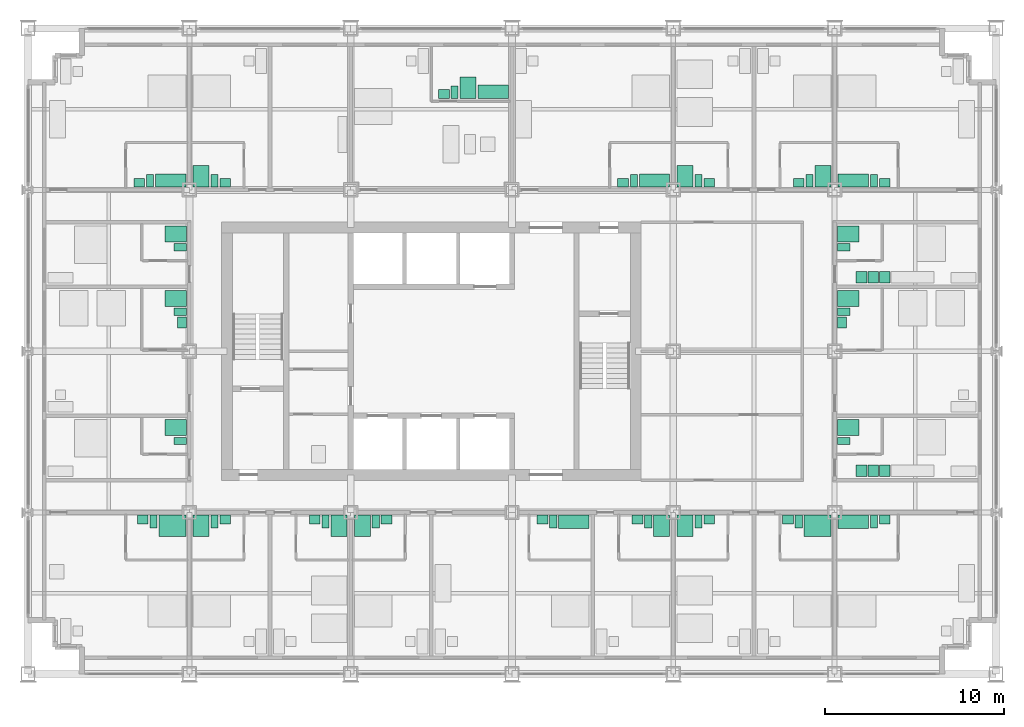
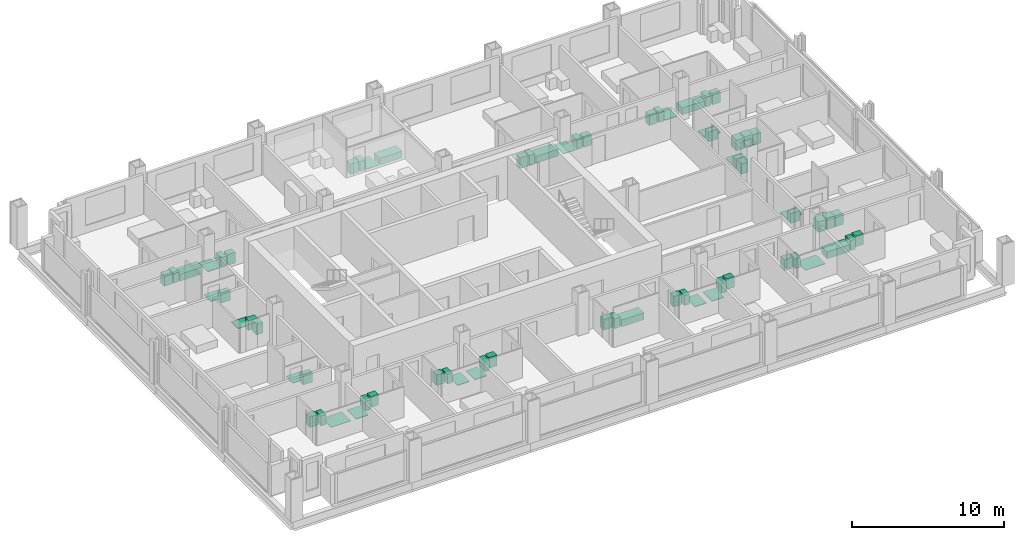
# One storey, part 17 of 18: 63 sanitary terminals, 6 electric appliances.
"""IFC4 building model written with IfcOpenShell, lengths in metres."""

from ifc_helpers import new_model, si_unit, direction, frame, origin, origin_2d, place, context, subcontext, project, spatial, rectangle, extrude, element, save


model = new_model("IFC4")

# Units and contexts
model_context = context("Model", 3, precision=1e-05, world=origin(), true_north=direction((0.0, 1.0)))
body_context = subcontext(model_context, "Body", "Model", "MODEL_VIEW")
ifc_project = project(units=[si_unit("LENGTHUNIT", "METRE"), si_unit("AREAUNIT", "SQUARE_METRE"), si_unit("VOLUMEUNIT", "CUBIC_METRE"), si_unit("PLANEANGLEUNIT", "RADIAN"), si_unit("MASSUNIT", "GRAM", prefix="KILO")], contexts=[model_context])

# Site, building, storey
site_placement = place(None, origin())
site = spatial("IfcSite", under=ifc_project, at=site_placement, CompositionType="ELEMENT")
building_placement = place(site_placement, origin())
building = spatial("IfcBuilding", under=site, at=building_placement, Name="Loomwork Tower", CompositionType="ELEMENT")
storey_placement = place(building_placement, frame((0.0, 0.0, 82.39990234375)))
storey = spatial("IfcBuildingStorey", under=building, at=storey_placement, Name="L21", CompositionType="ELEMENT", Elevation=82.39990234375)

# Sanitary terminals
sanitary_terminal_1_placement = place(storey_placement, frame((8.050048828125, 8.25, 0.0), z_axis=(0.0, 0.0, 1.0), x_axis=(1.0, 0.0, 0.0)))
element("IfcSanitaryTerminal", 1, at=sanitary_terminal_1_placement, inside=storey, Name="Roll-in shower floor L21", PredefinedType="SHOWER", context=body_context, shape_type="SweptSolid", body=[
    extrude(rectangle(XDim=1.5, YDim=1.199951171875, at=origin_2d()), origin(), (0.0, 0.0, 1.0), 0.030029296875),
])
sanitary_terminal_2_placement = place(storey_placement, frame((7.0, 8.5, 0.0), z_axis=(0.0, 0.0, 1.0), x_axis=(1.0, 0.0, 0.0)))
element("IfcSanitaryTerminal", 2, at=sanitary_terminal_2_placement, inside=storey, Name="WC L21", PredefinedType="TOILETPAN", context=body_context, shape_type="SweptSolid", body=[
    extrude(rectangle(XDim=0.39990234375, YDim=0.699951171875, at=origin_2d()), origin(), (0.0, 0.0, 1.0), 0.800048828125),
])
sanitary_terminal_3_placement = place(storey_placement, frame((6.39990234375, 8.60009765625, 0.0), z_axis=(0.0, 0.0, 1.0), x_axis=(1.0, 0.0, 0.0)))
element("IfcSanitaryTerminal", 3, at=sanitary_terminal_3_placement, inside=storey, Name="Basin vanity L21", PredefinedType="WASHHANDBASIN", context=body_context, shape_type="SweptSolid", body=[
    extrude(rectangle(XDim=0.60009765625, YDim=0.5, at=origin_2d()), origin(), (0.0, 0.0, 1.0), 0.85009765625),
])
sanitary_terminal_4_placement = place(storey_placement, frame((9.64990234375, 8.25, 0.0), z_axis=(0.0, 0.0, 1.0), x_axis=(1.0, 0.0, 0.0)))
element("IfcSanitaryTerminal", 4, at=sanitary_terminal_4_placement, inside=storey, Name="Shower tray L21", PredefinedType="SHOWER", context=body_context, shape_type="SweptSolid", body=[
    extrude(rectangle(XDim=0.89990234375, YDim=1.199951171875, at=origin_2d()), origin(), (0.0, 0.0, 1.0), 0.050048828125),
])
sanitary_terminal_5_placement = place(storey_placement, frame((10.39990234375, 8.5, 0.0), z_axis=(0.0, 0.0, 1.0), x_axis=(1.0, 0.0, 0.0)))
element("IfcSanitaryTerminal", 5, at=sanitary_terminal_5_placement, inside=storey, Name="WC L21", PredefinedType="TOILETPAN", context=body_context, shape_type="SweptSolid", body=[
    extrude(rectangle(XDim=0.39990234375, YDim=0.699951171875, at=origin_2d()), origin(), (0.0, 0.0, 1.0), 0.800048828125),
])
sanitary_terminal_6_placement = place(storey_placement, frame((11.0, 8.60009765625, 0.0), z_axis=(0.0, 0.0, 1.0), x_axis=(1.0, 0.0, 0.0)))
element("IfcSanitaryTerminal", 6, at=sanitary_terminal_6_placement, inside=storey, Name="Basin vanity L21", PredefinedType="WASHHANDBASIN", context=body_context, shape_type="SweptSolid", body=[
    extrude(rectangle(XDim=0.60009765625, YDim=0.5, at=origin_2d()), origin(), (0.0, 0.0, 1.0), 0.85009765625),
])
sanitary_terminal_7_placement = place(storey_placement, frame((17.35009765625, 8.25, 0.0), z_axis=(0.0, 0.0, 1.0), x_axis=(1.0, 0.0, 0.0)))
element("IfcSanitaryTerminal", 7, at=sanitary_terminal_7_placement, inside=storey, Name="Shower tray L21", PredefinedType="SHOWER", context=body_context, shape_type="SweptSolid", body=[
    extrude(rectangle(XDim=0.89990234375, YDim=1.199951171875, at=origin_2d()), origin(), (0.0, 0.0, 1.0), 0.050048828125),
])
sanitary_terminal_8_placement = place(storey_placement, frame((16.60009765625, 8.5, 0.0), z_axis=(0.0, 0.0, 1.0), x_axis=(1.0, 0.0, 0.0)))
element("IfcSanitaryTerminal", 8, at=sanitary_terminal_8_placement, inside=storey, Name="WC L21", PredefinedType="TOILETPAN", context=body_context, shape_type="SweptSolid", body=[
    extrude(rectangle(XDim=0.39990234375, YDim=0.699951171875, at=origin_2d()), origin(), (0.0, 0.0, 1.0), 0.800048828125),
])
sanitary_terminal_9_placement = place(storey_placement, frame((16.0, 8.60009765625, 0.0), z_axis=(0.0, 0.0, 1.0), x_axis=(1.0, 0.0, 0.0)))
element("IfcSanitaryTerminal", 9, at=sanitary_terminal_9_placement, inside=storey, Name="Basin vanity L21", PredefinedType="WASHHANDBASIN", context=body_context, shape_type="SweptSolid", body=[
    extrude(rectangle(XDim=0.60009765625, YDim=0.5, at=origin_2d()), origin(), (0.0, 0.0, 1.0), 0.85009765625),
])
sanitary_terminal_10_placement = place(storey_placement, frame((18.64990234375, 8.25, 0.0), z_axis=(0.0, 0.0, 1.0), x_axis=(1.0, 0.0, 0.0)))
element("IfcSanitaryTerminal", 10, at=sanitary_terminal_10_placement, inside=storey, Name="Shower tray L21", PredefinedType="SHOWER", context=body_context, shape_type="SweptSolid", body=[
    extrude(rectangle(XDim=0.89990234375, YDim=1.199951171875, at=origin_2d()), origin(), (0.0, 0.0, 1.0), 0.050048828125),
])
sanitary_terminal_11_placement = place(storey_placement, frame((19.39990234375, 8.5, 0.0), z_axis=(0.0, 0.0, 1.0), x_axis=(1.0, 0.0, 0.0)))
element("IfcSanitaryTerminal", 11, at=sanitary_terminal_11_placement, inside=storey, Name="WC L21", PredefinedType="TOILETPAN", context=body_context, shape_type="SweptSolid", body=[
    extrude(rectangle(XDim=0.39990234375, YDim=0.699951171875, at=origin_2d()), origin(), (0.0, 0.0, 1.0), 0.800048828125),
])
sanitary_terminal_12_placement = place(storey_placement, frame((20.0, 8.60009765625, 0.0), z_axis=(0.0, 0.0, 1.0), x_axis=(1.0, 0.0, 0.0)))
element("IfcSanitaryTerminal", 12, at=sanitary_terminal_12_placement, inside=storey, Name="Basin vanity L21", PredefinedType="WASHHANDBASIN", context=body_context, shape_type="SweptSolid", body=[
    extrude(rectangle(XDim=0.60009765625, YDim=0.5, at=origin_2d()), origin(), (0.0, 0.0, 1.0), 0.85009765625),
])
sanitary_terminal_13_placement = place(storey_placement, frame((30.449951171875, 8.47509765625, 0.0), z_axis=(0.0, 0.0, 1.0), x_axis=(1.0, 0.0, 0.0)))
element("IfcSanitaryTerminal", 13, at=sanitary_terminal_13_placement, inside=storey, Name="Bath L21", PredefinedType="BATH", context=body_context, shape_type="SweptSolid", body=[
    extrude(rectangle(XDim=1.699951171875, YDim=0.75, at=origin_2d()), origin(), (0.0, 0.0, 1.0), 0.550048828125),
])
sanitary_terminal_14_placement = place(storey_placement, frame((29.300048828125, 8.5, 0.0), z_axis=(0.0, 0.0, 1.0), x_axis=(1.0, 0.0, 0.0)))
element("IfcSanitaryTerminal", 14, at=sanitary_terminal_14_placement, inside=storey, Name="WC L21", PredefinedType="TOILETPAN", context=body_context, shape_type="SweptSolid", body=[
    extrude(rectangle(XDim=0.39990234375, YDim=0.699951171875, at=origin_2d()), origin(), (0.0, 0.0, 1.0), 0.800048828125),
])
sanitary_terminal_15_placement = place(storey_placement, frame((28.699951171875, 8.60009765625, 0.0), z_axis=(0.0, 0.0, 1.0), x_axis=(1.0, 0.0, 0.0)))
element("IfcSanitaryTerminal", 15, at=sanitary_terminal_15_placement, inside=storey, Name="Basin vanity L21", PredefinedType="WASHHANDBASIN", context=body_context, shape_type="SweptSolid", body=[
    extrude(rectangle(XDim=0.60009765625, YDim=0.5, at=origin_2d()), origin(), (0.0, 0.0, 1.0), 0.85009765625),
])
sanitary_terminal_16_placement = place(storey_placement, frame((35.35009765625, 8.25, 0.0), z_axis=(0.0, 0.0, 1.0), x_axis=(1.0, 0.0, 0.0)))
element("IfcSanitaryTerminal", 16, at=sanitary_terminal_16_placement, inside=storey, Name="Shower tray L21", PredefinedType="SHOWER", context=body_context, shape_type="SweptSolid", body=[
    extrude(rectangle(XDim=0.89990234375, YDim=1.199951171875, at=origin_2d()), origin(), (0.0, 0.0, 1.0), 0.050048828125),
])
sanitary_terminal_17_placement = place(storey_placement, frame((34.60009765625, 8.5, 0.0), z_axis=(0.0, 0.0, 1.0), x_axis=(1.0, 0.0, 0.0)))
element("IfcSanitaryTerminal", 17, at=sanitary_terminal_17_placement, inside=storey, Name="WC L21", PredefinedType="TOILETPAN", context=body_context, shape_type="SweptSolid", body=[
    extrude(rectangle(XDim=0.39990234375, YDim=0.699951171875, at=origin_2d()), origin(), (0.0, 0.0, 1.0), 0.800048828125),
])
sanitary_terminal_18_placement = place(storey_placement, frame((34.0, 8.60009765625, 0.0), z_axis=(0.0, 0.0, 1.0), x_axis=(1.0, 0.0, 0.0)))
element("IfcSanitaryTerminal", 18, at=sanitary_terminal_18_placement, inside=storey, Name="Basin vanity L21", PredefinedType="WASHHANDBASIN", context=body_context, shape_type="SweptSolid", body=[
    extrude(rectangle(XDim=0.60009765625, YDim=0.5, at=origin_2d()), origin(), (0.0, 0.0, 1.0), 0.85009765625),
])
sanitary_terminal_19_placement = place(storey_placement, frame((36.64990234375, 8.25, 0.0), z_axis=(0.0, 0.0, 1.0), x_axis=(1.0, 0.0, 0.0)))
element("IfcSanitaryTerminal", 19, at=sanitary_terminal_19_placement, inside=storey, Name="Shower tray L21", PredefinedType="SHOWER", context=body_context, shape_type="SweptSolid", body=[
    extrude(rectangle(XDim=0.89990234375, YDim=1.199951171875, at=origin_2d()), origin(), (0.0, 0.0, 1.0), 0.050048828125),
])
sanitary_terminal_20_placement = place(storey_placement, frame((37.39990234375, 8.5, 0.0), z_axis=(0.0, 0.0, 1.0), x_axis=(1.0, 0.0, 0.0)))
element("IfcSanitaryTerminal", 20, at=sanitary_terminal_20_placement, inside=storey, Name="WC L21", PredefinedType="TOILETPAN", context=body_context, shape_type="SweptSolid", body=[
    extrude(rectangle(XDim=0.39990234375, YDim=0.699951171875, at=origin_2d()), origin(), (0.0, 0.0, 1.0), 0.800048828125),
])
sanitary_terminal_21_placement = place(storey_placement, frame((38.0, 8.60009765625, 0.0), z_axis=(0.0, 0.0, 1.0), x_axis=(1.0, 0.0, 0.0)))
element("IfcSanitaryTerminal", 21, at=sanitary_terminal_21_placement, inside=storey, Name="Basin vanity L21", PredefinedType="WASHHANDBASIN", context=body_context, shape_type="SweptSolid", body=[
    extrude(rectangle(XDim=0.60009765625, YDim=0.5, at=origin_2d()), origin(), (0.0, 0.0, 1.0), 0.85009765625),
])
sanitary_terminal_22_placement = place(storey_placement, frame((44.050048828125, 8.25, 0.0), z_axis=(0.0, 0.0, 1.0), x_axis=(1.0, 0.0, 0.0)))
element("IfcSanitaryTerminal", 22, at=sanitary_terminal_22_placement, inside=storey, Name="Roll-in shower floor L21", PredefinedType="SHOWER", context=body_context, shape_type="SweptSolid", body=[
    extrude(rectangle(XDim=1.5, YDim=1.199951171875, at=origin_2d()), origin(), (0.0, 0.0, 1.0), 0.030029296875),
])
sanitary_terminal_23_placement = place(storey_placement, frame((43.0, 8.5, 0.0), z_axis=(0.0, 0.0, 1.0), x_axis=(1.0, 0.0, 0.0)))
element("IfcSanitaryTerminal", 23, at=sanitary_terminal_23_placement, inside=storey, Name="WC L21", PredefinedType="TOILETPAN", context=body_context, shape_type="SweptSolid", body=[
    extrude(rectangle(XDim=0.39990234375, YDim=0.699951171875, at=origin_2d()), origin(), (0.0, 0.0, 1.0), 0.800048828125),
])
sanitary_terminal_24_placement = place(storey_placement, frame((42.39990234375, 8.60009765625, 0.0), z_axis=(0.0, 0.0, 1.0), x_axis=(1.0, 0.0, 0.0)))
element("IfcSanitaryTerminal", 24, at=sanitary_terminal_24_placement, inside=storey, Name="Basin vanity L21", PredefinedType="WASHHANDBASIN", context=body_context, shape_type="SweptSolid", body=[
    extrude(rectangle(XDim=0.60009765625, YDim=0.5, at=origin_2d()), origin(), (0.0, 0.0, 1.0), 0.85009765625),
])
sanitary_terminal_25_placement = place(storey_placement, frame((46.050048828125, 8.47509765625, 0.0), z_axis=(0.0, 0.0, 1.0), x_axis=(1.0, 0.0, 0.0)))
element("IfcSanitaryTerminal", 25, at=sanitary_terminal_25_placement, inside=storey, Name="Bath L21", PredefinedType="BATH", context=body_context, shape_type="SweptSolid", body=[
    extrude(rectangle(XDim=1.699951171875, YDim=0.75, at=origin_2d()), origin(), (0.0, 0.0, 1.0), 0.550048828125),
])
sanitary_terminal_26_placement = place(storey_placement, frame((47.199951171875, 8.5, 0.0), z_axis=(0.0, 0.0, 1.0), x_axis=(1.0, 0.0, 0.0)))
element("IfcSanitaryTerminal", 26, at=sanitary_terminal_26_placement, inside=storey, Name="WC L21", PredefinedType="TOILETPAN", context=body_context, shape_type="SweptSolid", body=[
    extrude(rectangle(XDim=0.39990234375, YDim=0.699951171875, at=origin_2d()), origin(), (0.0, 0.0, 1.0), 0.800048828125),
])
sanitary_terminal_27_placement = place(storey_placement, frame((47.800048828125, 8.60009765625, 0.0), z_axis=(0.0, 0.0, 1.0), x_axis=(1.0, 0.0, 0.0)))
element("IfcSanitaryTerminal", 27, at=sanitary_terminal_27_placement, inside=storey, Name="Basin vanity L21", PredefinedType="WASHHANDBASIN", context=body_context, shape_type="SweptSolid", body=[
    extrude(rectangle(XDim=0.60009765625, YDim=0.5, at=origin_2d()), origin(), (0.0, 0.0, 1.0), 0.85009765625),
])
sanitary_terminal_28_placement = place(storey_placement, frame((7.949951171875, 27.52490234375, 0.0), z_axis=(0.0, 0.0, 1.0), x_axis=(1.0, 0.0, 0.0)))
element("IfcSanitaryTerminal", 28, at=sanitary_terminal_28_placement, inside=storey, Name="Bath L21", PredefinedType="BATH", context=body_context, shape_type="SweptSolid", body=[
    extrude(rectangle(XDim=1.699951171875, YDim=0.75, at=origin_2d()), origin(), (0.0, 0.0, 1.0), 0.550048828125),
])
sanitary_terminal_29_placement = place(storey_placement, frame((6.800048828125, 27.5, 0.0), z_axis=(0.0, 0.0, 1.0), x_axis=(1.0, 0.0, 0.0)))
element("IfcSanitaryTerminal", 29, at=sanitary_terminal_29_placement, inside=storey, Name="WC L21", PredefinedType="TOILETPAN", context=body_context, shape_type="SweptSolid", body=[
    extrude(rectangle(XDim=0.39990234375, YDim=0.699951171875, at=origin_2d()), origin(), (0.0, 0.0, 1.0), 0.800048828125),
])
sanitary_terminal_30_placement = place(storey_placement, frame((6.199951171875, 27.39990234375, 0.0), z_axis=(0.0, 0.0, 1.0), x_axis=(1.0, 0.0, 0.0)))
element("IfcSanitaryTerminal", 30, at=sanitary_terminal_30_placement, inside=storey, Name="Basin vanity L21", PredefinedType="WASHHANDBASIN", context=body_context, shape_type="SweptSolid", body=[
    extrude(rectangle(XDim=0.60009765625, YDim=0.5, at=origin_2d()), origin(), (0.0, 0.0, 1.0), 0.85009765625),
])
sanitary_terminal_31_placement = place(storey_placement, frame((9.64990234375, 27.75, 0.0), z_axis=(0.0, 0.0, 1.0), x_axis=(1.0, 0.0, 0.0)))
element("IfcSanitaryTerminal", 31, at=sanitary_terminal_31_placement, inside=storey, Name="Shower tray L21", PredefinedType="SHOWER", context=body_context, shape_type="SweptSolid", body=[
    extrude(rectangle(XDim=0.89990234375, YDim=1.199951171875, at=origin_2d()), origin(), (0.0, 0.0, 1.0), 0.050048828125),
])
sanitary_terminal_32_placement = place(storey_placement, frame((10.39990234375, 27.5, 0.0), z_axis=(0.0, 0.0, 1.0), x_axis=(1.0, 0.0, 0.0)))
element("IfcSanitaryTerminal", 32, at=sanitary_terminal_32_placement, inside=storey, Name="WC L21", PredefinedType="TOILETPAN", context=body_context, shape_type="SweptSolid", body=[
    extrude(rectangle(XDim=0.39990234375, YDim=0.699951171875, at=origin_2d()), origin(), (0.0, 0.0, 1.0), 0.800048828125),
])
sanitary_terminal_33_placement = place(storey_placement, frame((11.0, 27.39990234375, 0.0), z_axis=(0.0, 0.0, 1.0), x_axis=(1.0, 0.0, 0.0)))
element("IfcSanitaryTerminal", 33, at=sanitary_terminal_33_placement, inside=storey, Name="Basin vanity L21", PredefinedType="WASHHANDBASIN", context=body_context, shape_type="SweptSolid", body=[
    extrude(rectangle(XDim=0.60009765625, YDim=0.5, at=origin_2d()), origin(), (0.0, 0.0, 1.0), 0.85009765625),
])
sanitary_terminal_34_placement = place(storey_placement, frame((25.949951171875, 32.47509765625, 0.0), z_axis=(0.0, 0.0, 1.0), x_axis=(1.0, 0.0, 0.0)))
element("IfcSanitaryTerminal", 34, at=sanitary_terminal_34_placement, inside=storey, Name="Bath L21", PredefinedType="BATH", context=body_context, shape_type="SweptSolid", body=[
    extrude(rectangle(XDim=1.699951171875, YDim=0.75, at=origin_2d()), origin(), (0.0, 0.0, 1.0), 0.550048828125),
])
sanitary_terminal_35_placement = place(storey_placement, frame((24.550048828125, 32.699951171875, 0.0), z_axis=(0.0, 0.0, 1.0), x_axis=(1.0, 0.0, 0.0)))
element("IfcSanitaryTerminal", 35, at=sanitary_terminal_35_placement, inside=storey, Name="Shower tray L21", PredefinedType="SHOWER", context=body_context, shape_type="SweptSolid", body=[
    extrude(rectangle(XDim=0.89990234375, YDim=1.199951171875, at=origin_2d()), origin(), (0.0, 0.0, 1.0), 0.050048828125),
])
sanitary_terminal_36_placement = place(storey_placement, frame((23.800048828125, 32.449951171875, 0.0), z_axis=(0.0, 0.0, 1.0), x_axis=(1.0, 0.0, 0.0)))
element("IfcSanitaryTerminal", 36, at=sanitary_terminal_36_placement, inside=storey, Name="WC L21", PredefinedType="TOILETPAN", context=body_context, shape_type="SweptSolid", body=[
    extrude(rectangle(XDim=0.39990234375, YDim=0.699951171875, at=origin_2d()), origin(), (0.0, 0.0, 1.0), 0.800048828125),
])
sanitary_terminal_37_placement = place(storey_placement, frame((23.199951171875, 32.35009765625, 0.0), z_axis=(0.0, 0.0, 1.0), x_axis=(1.0, 0.0, 0.0)))
element("IfcSanitaryTerminal", 37, at=sanitary_terminal_37_placement, inside=storey, Name="Basin vanity L21", PredefinedType="WASHHANDBASIN", context=body_context, shape_type="SweptSolid", body=[
    extrude(rectangle(XDim=0.60009765625, YDim=0.5, at=origin_2d()), origin(), (0.0, 0.0, 1.0), 0.85009765625),
])
sanitary_terminal_38_placement = place(storey_placement, frame((34.949951171875, 27.52490234375, 0.0), z_axis=(0.0, 0.0, 1.0), x_axis=(1.0, 0.0, 0.0)))
element("IfcSanitaryTerminal", 38, at=sanitary_terminal_38_placement, inside=storey, Name="Bath L21", PredefinedType="BATH", context=body_context, shape_type="SweptSolid", body=[
    extrude(rectangle(XDim=1.699951171875, YDim=0.75, at=origin_2d()), origin(), (0.0, 0.0, 1.0), 0.550048828125),
])
sanitary_terminal_39_placement = place(storey_placement, frame((33.800048828125, 27.5, 0.0), z_axis=(0.0, 0.0, 1.0), x_axis=(1.0, 0.0, 0.0)))
element("IfcSanitaryTerminal", 39, at=sanitary_terminal_39_placement, inside=storey, Name="WC L21", PredefinedType="TOILETPAN", context=body_context, shape_type="SweptSolid", body=[
    extrude(rectangle(XDim=0.39990234375, YDim=0.699951171875, at=origin_2d()), origin(), (0.0, 0.0, 1.0), 0.800048828125),
])
sanitary_terminal_40_placement = place(storey_placement, frame((33.199951171875, 27.39990234375, 0.0), z_axis=(0.0, 0.0, 1.0), x_axis=(1.0, 0.0, 0.0)))
element("IfcSanitaryTerminal", 40, at=sanitary_terminal_40_placement, inside=storey, Name="Basin vanity L21", PredefinedType="WASHHANDBASIN", context=body_context, shape_type="SweptSolid", body=[
    extrude(rectangle(XDim=0.60009765625, YDim=0.5, at=origin_2d()), origin(), (0.0, 0.0, 1.0), 0.85009765625),
])
sanitary_terminal_41_placement = place(storey_placement, frame((36.64990234375, 27.75, 0.0), z_axis=(0.0, 0.0, 1.0), x_axis=(1.0, 0.0, 0.0)))
element("IfcSanitaryTerminal", 41, at=sanitary_terminal_41_placement, inside=storey, Name="Shower tray L21", PredefinedType="SHOWER", context=body_context, shape_type="SweptSolid", body=[
    extrude(rectangle(XDim=0.89990234375, YDim=1.199951171875, at=origin_2d()), origin(), (0.0, 0.0, 1.0), 0.050048828125),
])
sanitary_terminal_42_placement = place(storey_placement, frame((37.39990234375, 27.5, 0.0), z_axis=(0.0, 0.0, 1.0), x_axis=(1.0, 0.0, 0.0)))
element("IfcSanitaryTerminal", 42, at=sanitary_terminal_42_placement, inside=storey, Name="WC L21", PredefinedType="TOILETPAN", context=body_context, shape_type="SweptSolid", body=[
    extrude(rectangle(XDim=0.39990234375, YDim=0.699951171875, at=origin_2d()), origin(), (0.0, 0.0, 1.0), 0.800048828125),
])
sanitary_terminal_43_placement = place(storey_placement, frame((38.0, 27.39990234375, 0.0), z_axis=(0.0, 0.0, 1.0), x_axis=(1.0, 0.0, 0.0)))
element("IfcSanitaryTerminal", 43, at=sanitary_terminal_43_placement, inside=storey, Name="Basin vanity L21", PredefinedType="WASHHANDBASIN", context=body_context, shape_type="SweptSolid", body=[
    extrude(rectangle(XDim=0.60009765625, YDim=0.5, at=origin_2d()), origin(), (0.0, 0.0, 1.0), 0.85009765625),
])
sanitary_terminal_44_placement = place(storey_placement, frame((44.35009765625, 27.75, 0.0), z_axis=(0.0, 0.0, 1.0), x_axis=(1.0, 0.0, 0.0)))
element("IfcSanitaryTerminal", 44, at=sanitary_terminal_44_placement, inside=storey, Name="Shower tray L21", PredefinedType="SHOWER", context=body_context, shape_type="SweptSolid", body=[
    extrude(rectangle(XDim=0.89990234375, YDim=1.199951171875, at=origin_2d()), origin(), (0.0, 0.0, 1.0), 0.050048828125),
])
sanitary_terminal_45_placement = place(storey_placement, frame((43.60009765625, 27.5, 0.0), z_axis=(0.0, 0.0, 1.0), x_axis=(1.0, 0.0, 0.0)))
element("IfcSanitaryTerminal", 45, at=sanitary_terminal_45_placement, inside=storey, Name="WC L21", PredefinedType="TOILETPAN", context=body_context, shape_type="SweptSolid", body=[
    extrude(rectangle(XDim=0.39990234375, YDim=0.699951171875, at=origin_2d()), origin(), (0.0, 0.0, 1.0), 0.800048828125),
])
sanitary_terminal_46_placement = place(storey_placement, frame((43.0, 27.39990234375, 0.0), z_axis=(0.0, 0.0, 1.0), x_axis=(1.0, 0.0, 0.0)))
element("IfcSanitaryTerminal", 46, at=sanitary_terminal_46_placement, inside=storey, Name="Basin vanity L21", PredefinedType="WASHHANDBASIN", context=body_context, shape_type="SweptSolid", body=[
    extrude(rectangle(XDim=0.60009765625, YDim=0.5, at=origin_2d()), origin(), (0.0, 0.0, 1.0), 0.85009765625),
])
sanitary_terminal_47_placement = place(storey_placement, frame((46.050048828125, 27.52490234375, 0.0), z_axis=(0.0, 0.0, 1.0), x_axis=(1.0, 0.0, 0.0)))
element("IfcSanitaryTerminal", 47, at=sanitary_terminal_47_placement, inside=storey, Name="Bath L21", PredefinedType="BATH", context=body_context, shape_type="SweptSolid", body=[
    extrude(rectangle(XDim=1.699951171875, YDim=0.75, at=origin_2d()), origin(), (0.0, 0.0, 1.0), 0.550048828125),
])
sanitary_terminal_48_placement = place(storey_placement, frame((47.199951171875, 27.5, 0.0), z_axis=(0.0, 0.0, 1.0), x_axis=(1.0, 0.0, 0.0)))
element("IfcSanitaryTerminal", 48, at=sanitary_terminal_48_placement, inside=storey, Name="WC L21", PredefinedType="TOILETPAN", context=body_context, shape_type="SweptSolid", body=[
    extrude(rectangle(XDim=0.39990234375, YDim=0.699951171875, at=origin_2d()), origin(), (0.0, 0.0, 1.0), 0.800048828125),
])
sanitary_terminal_49_placement = place(storey_placement, frame((47.800048828125, 27.39990234375, 0.0), z_axis=(0.0, 0.0, 1.0), x_axis=(1.0, 0.0, 0.0)))
element("IfcSanitaryTerminal", 49, at=sanitary_terminal_49_placement, inside=storey, Name="Basin vanity L21", PredefinedType="WASHHANDBASIN", context=body_context, shape_type="SweptSolid", body=[
    extrude(rectangle(XDim=0.60009765625, YDim=0.5, at=origin_2d()), origin(), (0.0, 0.0, 1.0), 0.85009765625),
])
sanitary_terminal_50_placement = place(storey_placement, frame((8.25, 13.75, 0.0), z_axis=(0.0, 0.0, 1.0), x_axis=(1.0, 0.0, 0.0)))
element("IfcSanitaryTerminal", 50, at=sanitary_terminal_50_placement, inside=storey, Name="Shower tray L21", PredefinedType="SHOWER", context=body_context, shape_type="SweptSolid", body=[
    extrude(rectangle(XDim=1.199951171875, YDim=0.89990234375, at=origin_2d()), origin(), (0.0, 0.0, 1.0), 0.050048828125),
])
sanitary_terminal_51_placement = place(storey_placement, frame((8.5, 13.0, 0.0), z_axis=(0.0, 0.0, 1.0), x_axis=(1.0, 0.0, 0.0)))
element("IfcSanitaryTerminal", 51, at=sanitary_terminal_51_placement, inside=storey, Name="WC L21", PredefinedType="TOILETPAN", context=body_context, shape_type="SweptSolid", body=[
    extrude(rectangle(XDim=0.699951171875, YDim=0.39990234375, at=origin_2d()), origin(), (0.0, 0.0, 1.0), 0.800048828125),
])
sanitary_terminal_52_placement = place(storey_placement, frame((8.25, 20.949951171875, 0.0), z_axis=(0.0, 0.0, 1.0), x_axis=(1.0, 0.0, 0.0)))
element("IfcSanitaryTerminal", 52, at=sanitary_terminal_52_placement, inside=storey, Name="Shower tray L21", PredefinedType="SHOWER", context=body_context, shape_type="SweptSolid", body=[
    extrude(rectangle(XDim=1.199951171875, YDim=0.89990234375, at=origin_2d()), origin(), (0.0, 0.0, 1.0), 0.050048828125),
])
sanitary_terminal_53_placement = place(storey_placement, frame((8.5, 20.199951171875, 0.0), z_axis=(0.0, 0.0, 1.0), x_axis=(1.0, 0.0, 0.0)))
element("IfcSanitaryTerminal", 53, at=sanitary_terminal_53_placement, inside=storey, Name="WC L21", PredefinedType="TOILETPAN", context=body_context, shape_type="SweptSolid", body=[
    extrude(rectangle(XDim=0.699951171875, YDim=0.39990234375, at=origin_2d()), origin(), (0.0, 0.0, 1.0), 0.800048828125),
])
sanitary_terminal_54_placement = place(storey_placement, frame((8.60009765625, 19.60009765625, 0.0), z_axis=(0.0, 0.0, 1.0), x_axis=(1.0, 0.0, 0.0)))
element("IfcSanitaryTerminal", 54, at=sanitary_terminal_54_placement, inside=storey, Name="Basin vanity L21", PredefinedType="WASHHANDBASIN", context=body_context, shape_type="SweptSolid", body=[
    extrude(rectangle(XDim=0.5, YDim=0.60009765625, at=origin_2d()), origin(), (0.0, 0.0, 1.0), 0.85009765625),
])
sanitary_terminal_55_placement = place(storey_placement, frame((8.25, 24.550048828125, 0.0), z_axis=(0.0, 0.0, 1.0), x_axis=(1.0, 0.0, 0.0)))
element("IfcSanitaryTerminal", 55, at=sanitary_terminal_55_placement, inside=storey, Name="Shower tray L21", PredefinedType="SHOWER", context=body_context, shape_type="SweptSolid", body=[
    extrude(rectangle(XDim=1.199951171875, YDim=0.89990234375, at=origin_2d()), origin(), (0.0, 0.0, 1.0), 0.050048828125),
])
sanitary_terminal_56_placement = place(storey_placement, frame((8.5, 23.800048828125, 0.0), z_axis=(0.0, 0.0, 1.0), x_axis=(1.0, 0.0, 0.0)))
element("IfcSanitaryTerminal", 56, at=sanitary_terminal_56_placement, inside=storey, Name="WC L21", PredefinedType="TOILETPAN", context=body_context, shape_type="SweptSolid", body=[
    extrude(rectangle(XDim=0.699951171875, YDim=0.39990234375, at=origin_2d()), origin(), (0.0, 0.0, 1.0), 0.800048828125),
])
sanitary_terminal_57_placement = place(storey_placement, frame((45.75, 13.75, 0.0), z_axis=(0.0, 0.0, 1.0), x_axis=(1.0, 0.0, 0.0)))
element("IfcSanitaryTerminal", 57, at=sanitary_terminal_57_placement, inside=storey, Name="Shower tray L21", PredefinedType="SHOWER", context=body_context, shape_type="SweptSolid", body=[
    extrude(rectangle(XDim=1.199951171875, YDim=0.89990234375, at=origin_2d()), origin(), (0.0, 0.0, 1.0), 0.050048828125),
])
sanitary_terminal_58_placement = place(storey_placement, frame((45.5, 13.0, 0.0), z_axis=(0.0, 0.0, 1.0), x_axis=(1.0, 0.0, 0.0)))
element("IfcSanitaryTerminal", 58, at=sanitary_terminal_58_placement, inside=storey, Name="WC L21", PredefinedType="TOILETPAN", context=body_context, shape_type="SweptSolid", body=[
    extrude(rectangle(XDim=0.699951171875, YDim=0.39990234375, at=origin_2d()), origin(), (0.0, 0.0, 1.0), 0.800048828125),
])

# Electric appliances
electric_appliance_1_placement = place(storey_placement, frame((46.5, 11.324951171875, 0.0), z_axis=(0.0, 0.0, 1.0), x_axis=(1.0, 0.0, 0.0)))
element("IfcElectricAppliance", 59, at=electric_appliance_1_placement, inside=storey, Name="Refrigerator L21", PredefinedType="REFRIGERATOR", context=body_context, shape_type="SweptSolid", body=[
    extrude(rectangle(XDim=0.60009765625, YDim=0.64990234375, at=origin_2d()), origin(), (0.0, 0.0, 1.0), 0.85009765625),
])
electric_appliance_2_placement = place(storey_placement, frame((47.14990234375, 11.324951171875, 0.000244140625), z_axis=(0.0, 0.0, 1.0), x_axis=(1.0, 0.0, 0.0)))
element("IfcElectricAppliance", 60, at=electric_appliance_2_placement, inside=storey, Name="Two-ring cooktop and oven L21", PredefinedType="ELECTRICCOOKER", context=body_context, shape_type="SweptSolid", body=[
    extrude(rectangle(XDim=0.60009765625, YDim=0.64990234375, at=origin_2d()), origin(), (0.0, 0.0, 1.0), 0.89990234375),
])
electric_appliance_3_placement = place(storey_placement, frame((47.800048828125, 11.324951171875, 0.0), z_axis=(0.0, 0.0, 1.0), x_axis=(1.0, 0.0, 0.0)))
element("IfcElectricAppliance", 61, at=electric_appliance_3_placement, inside=storey, Name="Dishwasher L21", PredefinedType="DISHWASHER", context=body_context, shape_type="SweptSolid", body=[
    extrude(rectangle(XDim=0.60009765625, YDim=0.64990234375, at=origin_2d()), origin(), (0.0, 0.0, 1.0), 0.85009765625),
])

# Sanitary terminals
sanitary_terminal_59_placement = place(storey_placement, frame((45.75, 20.949951171875, 0.0), z_axis=(0.0, 0.0, 1.0), x_axis=(1.0, 0.0, 0.0)))
element("IfcSanitaryTerminal", 62, at=sanitary_terminal_59_placement, inside=storey, Name="Shower tray L21", PredefinedType="SHOWER", context=body_context, shape_type="SweptSolid", body=[
    extrude(rectangle(XDim=1.199951171875, YDim=0.89990234375, at=origin_2d()), origin(), (0.0, 0.0, 1.0), 0.050048828125),
])
sanitary_terminal_60_placement = place(storey_placement, frame((45.5, 20.199951171875, 0.0), z_axis=(0.0, 0.0, 1.0), x_axis=(1.0, 0.0, 0.0)))
element("IfcSanitaryTerminal", 63, at=sanitary_terminal_60_placement, inside=storey, Name="WC L21", PredefinedType="TOILETPAN", context=body_context, shape_type="SweptSolid", body=[
    extrude(rectangle(XDim=0.699951171875, YDim=0.39990234375, at=origin_2d()), origin(), (0.0, 0.0, 1.0), 0.800048828125),
])
sanitary_terminal_61_placement = place(storey_placement, frame((45.39990234375, 19.60009765625, 0.0), z_axis=(0.0, 0.0, 1.0), x_axis=(1.0, 0.0, 0.0)))
element("IfcSanitaryTerminal", 64, at=sanitary_terminal_61_placement, inside=storey, Name="Basin vanity L21", PredefinedType="WASHHANDBASIN", context=body_context, shape_type="SweptSolid", body=[
    extrude(rectangle(XDim=0.5, YDim=0.60009765625, at=origin_2d()), origin(), (0.0, 0.0, 1.0), 0.85009765625),
])
sanitary_terminal_62_placement = place(storey_placement, frame((45.75, 24.550048828125, 0.0), z_axis=(0.0, 0.0, 1.0), x_axis=(1.0, 0.0, 0.0)))
element("IfcSanitaryTerminal", 65, at=sanitary_terminal_62_placement, inside=storey, Name="Shower tray L21", PredefinedType="SHOWER", context=body_context, shape_type="SweptSolid", body=[
    extrude(rectangle(XDim=1.199951171875, YDim=0.89990234375, at=origin_2d()), origin(), (0.0, 0.0, 1.0), 0.050048828125),
])
sanitary_terminal_63_placement = place(storey_placement, frame((45.5, 23.800048828125, 0.0), z_axis=(0.0, 0.0, 1.0), x_axis=(1.0, 0.0, 0.0)))
element("IfcSanitaryTerminal", 66, at=sanitary_terminal_63_placement, inside=storey, Name="WC L21", PredefinedType="TOILETPAN", context=body_context, shape_type="SweptSolid", body=[
    extrude(rectangle(XDim=0.699951171875, YDim=0.39990234375, at=origin_2d()), origin(), (0.0, 0.0, 1.0), 0.800048828125),
])

# Electric appliances
electric_appliance_4_placement = place(storey_placement, frame((46.5, 22.125, 0.0), z_axis=(0.0, 0.0, 1.0), x_axis=(1.0, 0.0, 0.0)))
element("IfcElectricAppliance", 67, at=electric_appliance_4_placement, inside=storey, Name="Refrigerator L21", PredefinedType="REFRIGERATOR", context=body_context, shape_type="SweptSolid", body=[
    extrude(rectangle(XDim=0.60009765625, YDim=0.64990234375, at=origin_2d()), origin(), (0.0, 0.0, 1.0), 0.85009765625),
])
electric_appliance_5_placement = place(storey_placement, frame((47.14990234375, 22.125, 0.000244140625), z_axis=(0.0, 0.0, 1.0), x_axis=(1.0, 0.0, 0.0)))
element("IfcElectricAppliance", 68, at=electric_appliance_5_placement, inside=storey, Name="Two-ring cooktop and oven L21", PredefinedType="ELECTRICCOOKER", context=body_context, shape_type="SweptSolid", body=[
    extrude(rectangle(XDim=0.60009765625, YDim=0.64990234375, at=origin_2d()), origin(), (0.0, 0.0, 1.0), 0.89990234375),
])
electric_appliance_6_placement = place(storey_placement, frame((47.800048828125, 22.125, 0.0), z_axis=(0.0, 0.0, 1.0), x_axis=(1.0, 0.0, 0.0)))
element("IfcElectricAppliance", 69, at=electric_appliance_6_placement, inside=storey, Name="Dishwasher L21", PredefinedType="DISHWASHER", context=body_context, shape_type="SweptSolid", body=[
    extrude(rectangle(XDim=0.60009765625, YDim=0.64990234375, at=origin_2d()), origin(), (0.0, 0.0, 1.0), 0.85009765625),
])

save(model, "model.ifc")
